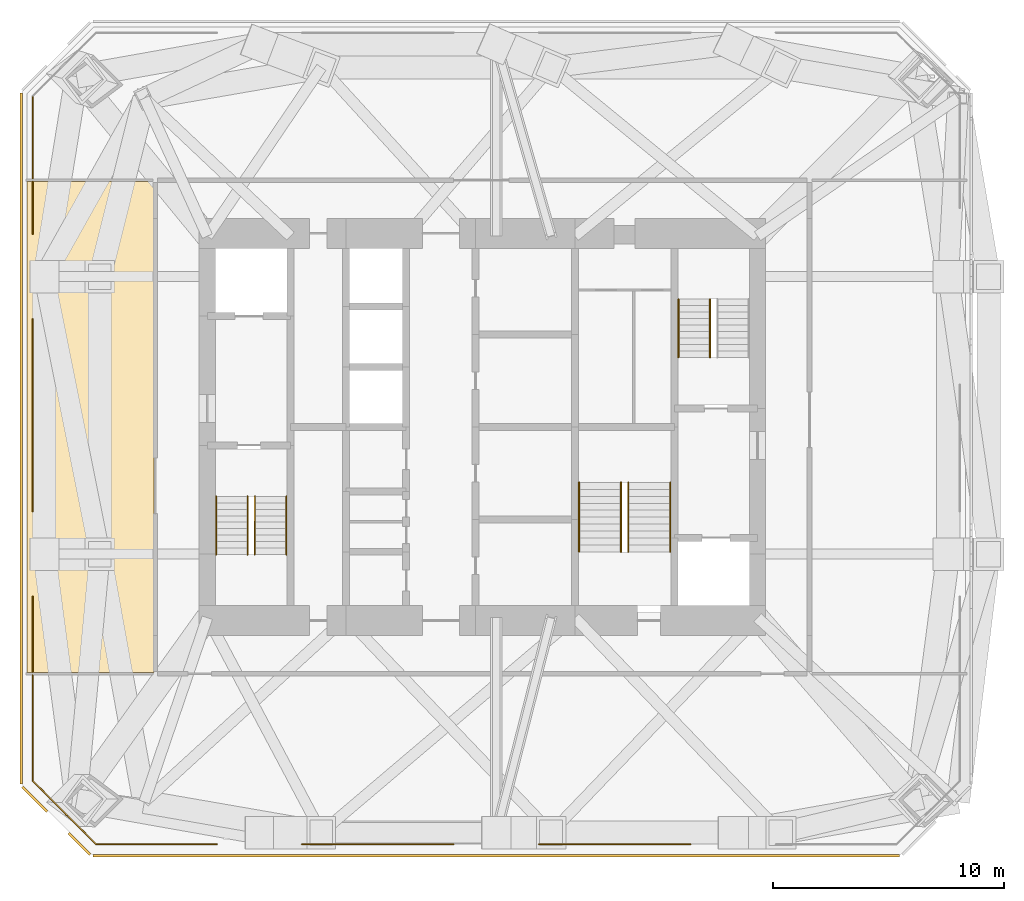
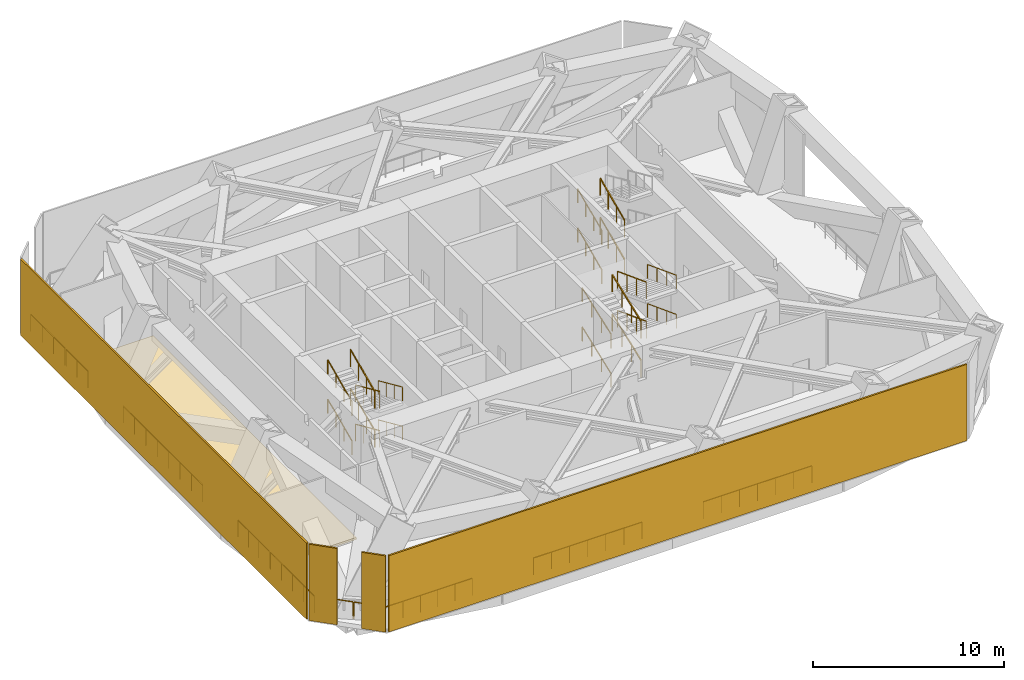
# One storey, part 7 of 8: 30 railings, 4 shading devices, 1 covering.
"""IFC4 building model written with IfcOpenShell, lengths in metres."""

from ifc_helpers import new_model, si_unit, direction, frame, origin, origin_2d, place, context, subcontext, project, spatial, polyline, rectangle, circle, outline, extrude, material, layer, layer_set, constituent, constituent_set, type_object, element, save


model = new_model("IFC4")

# Units and contexts
model_context = context("Model", 3, precision=1e-05, world=origin(), true_north=direction((0.0, 1.0)))
body_context = subcontext(model_context, "Body", "Model", "MODEL_VIEW")
ifc_project = project(units=[si_unit("LENGTHUNIT", "METRE"), si_unit("AREAUNIT", "SQUARE_METRE"), si_unit("VOLUMEUNIT", "CUBIC_METRE"), si_unit("PLANEANGLEUNIT", "RADIAN"), si_unit("MASSUNIT", "GRAM", prefix="KILO")], contexts=[model_context])

# Site, building, storey
site_placement = place(None, origin())
site = spatial("IfcSite", under=ifc_project, at=site_placement, CompositionType="ELEMENT")
building_placement = place(site_placement, origin())
building = spatial("IfcBuilding", under=site, at=building_placement, Name="Jalousie Tower", CompositionType="ELEMENT")
storey_placement = place(building_placement, frame((0.0, 0.0, 207.949951171875)))
storey = spatial("IfcBuildingStorey", under=building, at=storey_placement, Name="L57", CompositionType="ELEMENT", Elevation=207.949951171875)

# Covering
ifc_material_1 = material(Name="Sand-cement screed on resilient layer", Category="concrete")
ifc_layer_1 = layer(ifc_material_1, 0.1201171875)
ifc_layer_set_1 = layer_set([ifc_layer_1], Name="Sand-cement screed on resilient layer")
covering_type = type_object("IfcCoveringType", Name="FLOATING PLANT SCREED 120", PredefinedType="FLOORING", material=ifc_layer_set_1)
covering_placement = place(storey_placement, origin())
element("IfcCovering", 1, at=covering_placement, inside=storey, type_object=covering_type, Name="Floating screed Electrical plant room", PredefinedType="FLOORING", context=body_context, shape_type="SweptSolid", body=[
    extrude(outline(polyline([(17.699951171875, 7.875), (12.199951171875, 7.875), (12.199951171875, 29.125), (17.699951171875, 29.125), (17.699951171875, 7.875)])), origin(), (0.0, 0.0, 1.0), 0.1201171875),
])

# Railings
ifc_material_2 = material(Name="Stainless steel AISI 316", Category="steel")
railing_type_1 = type_object("IfcRailingType", Name="PLANT GUARDRAIL 1100", PredefinedType="GUARDRAIL", material=ifc_material_2)
railing_1_placement = place(storey_placement, frame((13.927734375, 1.70849609375, 0.0)))
element("IfcRailing", 2, at=railing_1_placement, inside=storey, type_object=railing_type_1, Name="Plant floor guard L57 1", PredefinedType="GUARDRAIL", context=body_context, shape_type="SweptSolid", body=[
    extrude(rectangle(XDim=0.048095703125, YDim=0.048095703125, at=origin_2d()), frame((0.0, 0.0, 1.076171875), z_axis=(-0.707106781187, 0.707106781187, 0.0), x_axis=(-0.707106781187, -0.707106781187, 0.0)), (0.0, 0.0, 1.0), 2.08984375),
    extrude(circle(Radius=0.02099609375, at=origin_2d()), origin(), (0.0, 0.0, 1.0), 1.052001953125),
    extrude(circle(Radius=0.02099609375, at=origin_2d()), frame((-0.73876953125, 0.73876953125, 0.0)), (0.0, 0.0, 1.0), 1.052001953125),
    extrude(circle(Radius=0.02099609375, at=origin_2d()), frame((-1.477783203125, 1.477783203125, 0.0)), (0.0, 0.0, 1.0), 1.052001953125),
])
railing_2_placement = place(storey_placement, frame((15.186279296875, 0.449951171875, 0.0)))
element("IfcRailing", 3, at=railing_2_placement, inside=storey, type_object=railing_type_1, Name="Plant floor guard L57 2", PredefinedType="GUARDRAIL", context=body_context, shape_type="SweptSolid", body=[
    extrude(rectangle(XDim=0.048095703125, YDim=0.048095703125, at=origin_2d()), frame((0.0, 0.0, 1.076171875), z_axis=(-0.707035932354, 0.707177622921, 0.0), x_axis=(-0.707177622921, -0.707035932354, 0.0)), (0.0, 0.0, 1.0), 1.72314453125),
    extrude(circle(Radius=0.02099609375, at=origin_2d()), origin(), (0.0, 0.0, 1.0), 1.052001953125),
    extrude(circle(Radius=0.02099609375, at=origin_2d()), frame((-0.609130859375, 0.609375, 0.0)), (0.0, 0.0, 1.0), 1.052001953125),
    extrude(circle(Radius=0.02099609375, at=origin_2d()), frame((-1.21826171875, 1.218505859375, 0.0)), (0.0, 0.0, 1.0), 1.052001953125),
])
railing_3_placement = place(storey_placement, frame((12.449951171875, 3.186279296875, 0.0)))
element("IfcRailing", 4, at=railing_3_placement, inside=storey, type_object=railing_type_1, Name="Plant floor guard L57 3", PredefinedType="GUARDRAIL", context=body_context, shape_type="SweptSolid", body=[
    extrude(rectangle(XDim=0.048095703125, YDim=0.048095703125, at=origin_2d()), frame((0.0, 0.0, 1.076171875), z_axis=(0.0, 1.0, 0.0), x_axis=(-1.0, 0.0, 0.0)), (0.0, 0.0, 1.0), 4.568603515625),
    extrude(circle(Radius=0.02099609375, at=origin_2d()), origin(), (0.0, 0.0, 1.0), 1.052001953125),
    extrude(circle(Radius=0.02099609375, at=origin_2d()), frame((0.0, 1.14208984375, 0.0)), (0.0, 0.0, 1.0), 1.052001953125),
    extrude(circle(Radius=0.02099609375, at=origin_2d()), frame((0.0, 2.2841796875, 0.0)), (0.0, 0.0, 1.0), 1.052001953125),
    extrude(circle(Radius=0.02099609375, at=origin_2d()), frame((0.0, 3.426513671875, 0.0)), (0.0, 0.0, 1.0), 1.052001953125),
    extrude(circle(Radius=0.02099609375, at=origin_2d()), frame((0.0, 4.568603515625, 0.0)), (0.0, 0.0, 1.0), 1.052001953125),
])
railing_4_placement = place(storey_placement, frame((12.449951171875, 7.89501953125, 0.0)))
element("IfcRailing", 5, at=railing_4_placement, inside=storey, type_object=railing_type_1, Name="Plant floor guard L57 4", PredefinedType="GUARDRAIL", context=body_context, shape_type="SweptSolid", body=[
    extrude(rectangle(XDim=0.048095703125, YDim=0.048095703125, at=origin_2d()), frame((0.0, 0.0, 1.076171875), z_axis=(0.0, 1.0, 0.0), x_axis=(-1.0, 0.0, 0.0)), (0.0, 0.0, 1.0), 3.260009765625),
    extrude(circle(Radius=0.02099609375, at=origin_2d()), origin(), (0.0, 0.0, 1.0), 1.052001953125),
    extrude(circle(Radius=0.02099609375, at=origin_2d()), frame((0.0, 1.086669921875, 0.0)), (0.0, 0.0, 1.0), 1.052001953125),
    extrude(circle(Radius=0.02099609375, at=origin_2d()), frame((0.0, 2.17333984375, 0.0)), (0.0, 0.0, 1.0), 1.052001953125),
    extrude(circle(Radius=0.02099609375, at=origin_2d()), frame((0.0, 3.260009765625, 0.0)), (0.0, 0.0, 1.0), 1.052001953125),
])
railing_5_placement = place(storey_placement, frame((12.449951171875, 14.844970703125, 0.0)))
element("IfcRailing", 6, at=railing_5_placement, inside=storey, type_object=railing_type_1, Name="Plant floor guard L57 5", PredefinedType="GUARDRAIL", context=body_context, shape_type="SweptSolid", body=[
    extrude(rectangle(XDim=0.048095703125, YDim=0.048095703125, at=origin_2d()), frame((0.0, 0.0, 1.076171875), z_axis=(0.0, 1.0, 0.0), x_axis=(-1.0, 0.0, 0.0)), (0.0, 0.0, 1.0), 8.31005859375),
    extrude(circle(Radius=0.02099609375, at=origin_2d()), origin(), (0.0, 0.0, 1.0), 1.052001953125),
    extrude(circle(Radius=0.02099609375, at=origin_2d()), frame((0.0, 1.187255859375, 0.0)), (0.0, 0.0, 1.0), 1.052001953125),
    extrude(circle(Radius=0.02099609375, at=origin_2d()), frame((0.0, 2.374267578125, 0.0)), (0.0, 0.0, 1.0), 1.052001953125),
    extrude(circle(Radius=0.02099609375, at=origin_2d()), frame((0.0, 3.5615234375, 0.0)), (0.0, 0.0, 1.0), 1.052001953125),
    extrude(circle(Radius=0.02099609375, at=origin_2d()), frame((0.0, 4.74853515625, 0.0)), (0.0, 0.0, 1.0), 1.052001953125),
    extrude(circle(Radius=0.02099609375, at=origin_2d()), frame((0.0, 5.935791015625, 0.0)), (0.0, 0.0, 1.0), 1.052001953125),
    extrude(circle(Radius=0.02099609375, at=origin_2d()), frame((0.0, 7.122802734375, 0.0)), (0.0, 0.0, 1.0), 1.052001953125),
    extrude(circle(Radius=0.02099609375, at=origin_2d()), frame((0.0, 8.31005859375, 0.0)), (0.0, 0.0, 1.0), 1.052001953125),
])
railing_6_placement = place(storey_placement, frame((12.449951171875, 26.844970703125, 0.0)))
element("IfcRailing", 7, at=railing_6_placement, inside=storey, type_object=railing_type_1, Name="Plant floor guard L57 6", PredefinedType="GUARDRAIL", context=body_context, shape_type="SweptSolid", body=[
    extrude(rectangle(XDim=0.048095703125, YDim=0.048095703125, at=origin_2d()), frame((0.0, 0.0, 1.076171875), z_axis=(0.0, 1.0, 0.0), x_axis=(-1.0, 0.0, 0.0)), (0.0, 0.0, 1.0), 2.260009765625),
    extrude(circle(Radius=0.02099609375, at=origin_2d()), origin(), (0.0, 0.0, 1.0), 1.052001953125),
    extrude(circle(Radius=0.02099609375, at=origin_2d()), frame((0.0, 1.1298828125, 0.0)), (0.0, 0.0, 1.0), 1.052001953125),
    extrude(circle(Radius=0.02099609375, at=origin_2d()), frame((0.0, 2.260009765625, 0.0)), (0.0, 0.0, 1.0), 1.052001953125),
])
railing_7_placement = place(storey_placement, frame((12.449951171875, 29.2451171875, 0.0)))
element("IfcRailing", 8, at=railing_7_placement, inside=storey, type_object=railing_type_1, Name="Plant floor guard L57 7", PredefinedType="GUARDRAIL", context=body_context, shape_type="SweptSolid", body=[
    extrude(rectangle(XDim=0.048095703125, YDim=0.048095703125, at=origin_2d()), frame((0.0, 0.0, 1.076171875), z_axis=(0.0, 1.0, 0.0), x_axis=(-1.0, 0.0, 0.0)), (0.0, 0.0, 1.0), 3.568603515625),
    extrude(circle(Radius=0.02099609375, at=origin_2d()), origin(), (0.0, 0.0, 1.0), 1.052001953125),
    extrude(circle(Radius=0.02099609375, at=origin_2d()), frame((0.0, 1.189453125, 0.0)), (0.0, 0.0, 1.0), 1.052001953125),
    extrude(circle(Radius=0.02099609375, at=origin_2d()), frame((0.0, 2.379150390625, 0.0)), (0.0, 0.0, 1.0), 1.052001953125),
    extrude(circle(Radius=0.02099609375, at=origin_2d()), frame((0.0, 3.568603515625, 0.0)), (0.0, 0.0, 1.0), 1.052001953125),
])
railing_8_placement = place(storey_placement, frame((20.405029296875, 0.449951171875, 0.0)))
element("IfcRailing", 9, at=railing_8_placement, inside=storey, type_object=railing_type_1, Name="Plant floor guard L57 23", PredefinedType="GUARDRAIL", context=body_context, shape_type="SweptSolid", body=[
    extrude(rectangle(XDim=0.048095703125, YDim=0.048095703125, at=origin_2d()), frame((0.0, 0.0, 1.076171875), z_axis=(-1.0, 0.0, 0.0), x_axis=(0.0, -1.0, 0.0)), (0.0, 0.0, 1.0), 5.21875),
    extrude(circle(Radius=0.02099609375, at=origin_2d()), origin(), (0.0, 0.0, 1.0), 1.052001953125),
    extrude(circle(Radius=0.02099609375, at=origin_2d()), frame((-1.043701171875, 0.0, 0.0)), (0.0, 0.0, 1.0), 1.052001953125),
    extrude(circle(Radius=0.02099609375, at=origin_2d()), frame((-2.08740234375, 0.0, 0.0)), (0.0, 0.0, 1.0), 1.052001953125),
    extrude(circle(Radius=0.02099609375, at=origin_2d()), frame((-3.13134765625, 0.0, 0.0)), (0.0, 0.0, 1.0), 1.052001953125),
    extrude(circle(Radius=0.02099609375, at=origin_2d()), frame((-4.175048828125, 0.0, 0.0)), (0.0, 0.0, 1.0), 1.052001953125),
    extrude(circle(Radius=0.02099609375, at=origin_2d()), frame((-5.21875, 0.0, 0.0)), (0.0, 0.0, 1.0), 1.052001953125),
])
for number, where, name in (
    (10, (30.655029296875, 0.449951171875, 0.0), "Plant floor guard L57 24"),
    (11, (40.905029296875, 0.449951171875, 0.0), "Plant floor guard L57 25"),
):
    element("IfcRailing", number, at=place(storey_placement, frame(where)), inside=storey, type_object=railing_type_1, Name=name, PredefinedType="GUARDRAIL", context=body_context, shape_type="SweptSolid", body=[
        extrude(rectangle(XDim=0.048095703125, YDim=0.048095703125, at=origin_2d()), frame((0.0, 0.0, 1.076171875), z_axis=(-1.0, 0.0, 0.0), x_axis=(0.0, -1.0, 0.0)), (0.0, 0.0, 1.0), 6.56005859375),
        extrude(circle(Radius=0.02099609375, at=origin_2d()), origin(), (0.0, 0.0, 1.0), 1.052001953125),
        extrude(circle(Radius=0.02099609375, at=origin_2d()), frame((-1.09326171875, 0.0, 0.0)), (0.0, 0.0, 1.0), 1.052001953125),
        extrude(circle(Radius=0.02099609375, at=origin_2d()), frame((-2.186767578125, 0.0, 0.0)), (0.0, 0.0, 1.0), 1.052001953125),
        extrude(circle(Radius=0.02099609375, at=origin_2d()), frame((-3.280029296875, 0.0, 0.0)), (0.0, 0.0, 1.0), 1.052001953125),
        extrude(circle(Radius=0.02099609375, at=origin_2d()), frame((-4.373291015625, 0.0, 0.0)), (0.0, 0.0, 1.0), 1.052001953125),
        extrude(circle(Radius=0.02099609375, at=origin_2d()), frame((-5.466796875, 0.0, 0.0)), (0.0, 0.0, 1.0), 1.052001953125),
        extrude(circle(Radius=0.02099609375, at=origin_2d()), frame((-6.56005859375, 0.0, 0.0)), (0.0, 0.0, 1.0), 1.052001953125),
    ])

# Shading devices
ifc_material_3 = material(Name="Aluminium storm louvres", Category="aluminium")
ifc_layer_2 = layer(ifc_material_3, 0.10009765625)
ifc_layer_set_2 = layer_set([ifc_layer_2], Name="Aluminium storm louvres")
shading_device_type = type_object("IfcShadingDeviceType", Name="PLANT LOUVRE SCREEN", PredefinedType="JALOUSIE", material=ifc_layer_set_2)
shading_device_1_placement = place(storey_placement, frame((49.949951171875, -0.10009765625, -0.14990234375), z_axis=(0.0, -1.0, 0.0), x_axis=(0.0, 0.0, 1.0)))
element("IfcShadingDevice", 12, at=shading_device_1_placement, inside=storey, type_object=shading_device_type, Name="Plant louvre screen L57 1", PredefinedType="JALOUSIE", context=body_context, shape_type="SweptSolid", body=[
    extrude(outline(polyline([(0.0, 0.0), (4.869873046875, 0.0), (4.869873046875, 34.89990234375), (0.0, 34.89990234375), (0.0, 0.0)])), origin(), (0.0, 0.0, -1.0), 0.10009765625),
])
shading_device_2_placement = place(storey_placement, frame((11.89990234375, 3.050048828125, -0.14990234375), z_axis=(-1.0, 0.0, 0.0), x_axis=(0.0, 0.0, 1.0)))
element("IfcShadingDevice", 13, at=shading_device_2_placement, inside=storey, type_object=shading_device_type, Name="Plant louvre screen L57 12", PredefinedType="JALOUSIE", context=body_context, shape_type="SweptSolid", body=[
    extrude(outline(polyline([(0.0, 0.0), (4.869873046875, 0.0), (4.869873046875, 29.89990234375), (0.0, 29.89990234375), (0.0, 0.0)])), origin(), (0.0, 0.0, -1.0), 0.10009765625),
])
shading_device_3_placement = place(storey_placement, frame((11.964599609375, 2.893798828125, 4.719970703125), z_axis=(-0.707026084265, -0.7071874689, 0.0), x_axis=(0.0, 0.0, -1.0)))
element("IfcShadingDevice", 14, at=shading_device_3_placement, inside=storey, type_object=shading_device_type, Name="Plant louvre screen L57 13", PredefinedType="JALOUSIE", context=body_context, shape_type="SweptSolid", body=[
    extrude(outline(polyline([(0.0, 0.0), (4.869873046875, 0.0), (4.869873046875, 1.5127872958700865), (0.0, 1.5127872958700865), (0.0, 0.0)])), origin(), (0.0, 0.0, -1.0), 0.10009765625),
])
shading_device_4_placement = place(storey_placement, frame((14.893798828125, -0.035400390625, 4.719970703125), z_axis=(-0.707200073194, -0.707013476869, 0.0), x_axis=(-0.707013476869, 0.707200073194, 0.0)))
element("IfcShadingDevice", 15, at=shading_device_4_placement, inside=storey, type_object=shading_device_type, Name="Plant louvre screen L57 14", PredefinedType="JALOUSIE", context=body_context, shape_type="SweptSolid", body=[
    extrude(outline(polyline([(0.0, 0.0), (1.3083892434721498, 0.0), (1.3083892434721498, 4.869873046875), (0.0, 4.869873046875), (0.0, 0.0)])), origin(), (0.0, 0.0, -1.0), 0.10009765625),
])

# Railings
ifc_material_4 = material(Name="Steel ASTM A500 Grade C", Category="steel")
ifc_constituent_1 = constituent(ifc_material_4, Name="Body")
ifc_material_5 = material(Name="Hot-dip galvanised zinc coating")
ifc_constituent_2 = constituent(ifc_material_5, Name="Finish")
ifc_constituent_set_1 = constituent_set(constituents=[ifc_constituent_1, ifc_constituent_2])
railing_type_2 = type_object("IfcRailingType", Name="STAIR GUARD 1100", PredefinedType="GUARDRAIL", material=ifc_constituent_set_1)
railing_9_placement = place(storey_placement, frame((22.054931640625, 15.49755859375, 0.125)))
element("IfcRailing", 16, at=railing_9_placement, inside=storey, type_object=railing_type_2, Name="Exit stair A guard L57 flight 1", PredefinedType="GUARDRAIL", context=body_context, shape_type="SweptSolid", body=[
    extrude(rectangle(XDim=0.048095703125, YDim=0.048095703125, at=origin_2d()), frame((0.0, 0.0, 1.076171875), z_axis=(0.0, -0.913139058521, 0.407648205936), x_axis=(1.0, 0.0, 0.0)), (0.0, 0.0, 1.0), 2.759765625),
    extrude(circle(Radius=0.02099609375, at=origin_2d()), origin(), (0.0, 0.0, 1.0), 1.052001953125),
    extrude(circle(Radius=0.02099609375, at=origin_2d()), frame((0.0, -0.840087890625, 0.375)), (0.0, 0.0, 1.0), 1.052001953125),
    extrude(circle(Radius=0.02099609375, at=origin_2d()), frame((0.0, -1.679931640625, 0.75)), (0.0, 0.0, 1.0), 1.052001953125),
    extrude(circle(Radius=0.02099609375, at=origin_2d()), frame((0.0, -2.52001953125, 1.125)), (0.0, 0.0, 1.0), 1.052001953125),
])
railing_10_placement = place(storey_placement, frame((21.7451171875, 12.9775390625, 1.375)))
element("IfcRailing", 17, at=railing_10_placement, inside=storey, type_object=railing_type_2, Name="Exit stair A guard L57 flight 2", PredefinedType="GUARDRAIL", context=body_context, shape_type="SweptSolid", body=[
    extrude(rectangle(XDim=0.048095703125, YDim=0.048095703125, at=origin_2d()), frame((0.0, 0.0, 1.076171875), z_axis=(0.0, 0.913139058521, 0.407648205936), x_axis=(-1.0, 0.0, 0.0)), (0.0, 0.0, 1.0), 2.759765625),
    extrude(circle(Radius=0.02099609375, at=origin_2d()), origin(), (0.0, 0.0, 1.0), 1.052001953125),
    extrude(circle(Radius=0.02099609375, at=origin_2d()), frame((0.0, 0.840087890625, 0.375)), (0.0, 0.0, 1.0), 1.052001953125),
    extrude(circle(Radius=0.02099609375, at=origin_2d()), frame((0.0, 1.679931640625, 0.75)), (0.0, 0.0, 1.0), 1.052001953125),
    extrude(circle(Radius=0.02099609375, at=origin_2d()), frame((0.0, 2.52001953125, 1.125)), (0.0, 0.0, 1.0), 1.052001953125),
])
railing_11_placement = place(storey_placement, frame((22.054931640625, 15.49755859375, 2.625)))
element("IfcRailing", 18, at=railing_11_placement, inside=storey, type_object=railing_type_2, Name="Exit stair A guard L57 flight 3", PredefinedType="GUARDRAIL", context=body_context, shape_type="SweptSolid", body=[
    extrude(rectangle(XDim=0.048095703125, YDim=0.048095703125, at=origin_2d()), frame((0.0, 0.0, 1.076171875), z_axis=(0.0, -0.913139058521, 0.407648205936), x_axis=(1.0, 0.0, 0.0)), (0.0, 0.0, 1.0), 2.759765625),
    extrude(circle(Radius=0.02099609375, at=origin_2d()), origin(), (0.0, 0.0, 1.0), 1.052001953125),
    extrude(circle(Radius=0.02099609375, at=origin_2d()), frame((0.0, -0.840087890625, 0.375)), (0.0, 0.0, 1.0), 1.052001953125),
    extrude(circle(Radius=0.02099609375, at=origin_2d()), frame((0.0, -1.679931640625, 0.75)), (0.0, 0.0, 1.0), 1.052001953125),
    extrude(circle(Radius=0.02099609375, at=origin_2d()), frame((0.0, -2.52001953125, 1.125)), (0.0, 0.0, 1.0), 1.052001953125),
])
for number, where, name in (
    (19, (21.7451171875, 12.9775390625, 3.875), "Exit stair A guard L57 flight 4"),
    (20, (41.7451171875, 21.50244140625, 0.125), "Exit stair B guard L57 flight 1"),
    (21, (41.7451171875, 21.50244140625, 2.625), "Exit stair B guard L57 flight 3"),
):
    element("IfcRailing", number, at=place(storey_placement, frame(where)), inside=storey, type_object=railing_type_2, Name=name, PredefinedType="GUARDRAIL", context=body_context, shape_type="SweptSolid", body=[
        extrude(rectangle(XDim=0.048095703125, YDim=0.048095703125, at=origin_2d()), frame((0.0, 0.0, 1.076171875), z_axis=(0.0, 0.913139058521, 0.407648205936), x_axis=(-1.0, 0.0, 0.0)), (0.0, 0.0, 1.0), 2.759765625),
        extrude(circle(Radius=0.02099609375, at=origin_2d()), origin(), (0.0, 0.0, 1.0), 1.052001953125),
        extrude(circle(Radius=0.02099609375, at=origin_2d()), frame((0.0, 0.840087890625, 0.375)), (0.0, 0.0, 1.0), 1.052001953125),
        extrude(circle(Radius=0.02099609375, at=origin_2d()), frame((0.0, 1.679931640625, 0.75)), (0.0, 0.0, 1.0), 1.052001953125),
        extrude(circle(Radius=0.02099609375, at=origin_2d()), frame((0.0, 2.52001953125, 1.125)), (0.0, 0.0, 1.0), 1.052001953125),
    ])
railing_12_placement = place(storey_placement, frame((37.89501953125, 13.097412109375, 0.11376953125)))
element("IfcRailing", 22, at=railing_12_placement, inside=storey, type_object=railing_type_2, Name="Exit stair C guard L57 flight 1", PredefinedType="GUARDRAIL", context=body_context, shape_type="SweptSolid", body=[
    extrude(rectangle(XDim=0.048095703125, YDim=0.048095703125, at=origin_2d()), frame((0.0, 0.0, 1.076171875), z_axis=(0.0, 0.935173195665, 0.354190759491), x_axis=(-1.0, 0.0, 0.0)), (0.0, 0.0, 1.0), 3.2080078125),
    extrude(circle(Radius=0.02099609375, at=origin_2d()), origin(), (0.0, 0.0, 1.0), 1.052001953125),
    extrude(circle(Radius=0.02099609375, at=origin_2d()), frame((0.0, 1.0, 0.378662109375)), (0.0, 0.0, 1.0), 1.052001953125),
    extrude(circle(Radius=0.02099609375, at=origin_2d()), frame((0.0, 2.0, 0.757568359375)), (0.0, 0.0, 1.0), 1.052001953125),
    extrude(circle(Radius=0.02099609375, at=origin_2d()), frame((0.0, 3.0, 1.13623046875)), (0.0, 0.0, 1.0), 1.052001953125),
])
railing_13_placement = place(storey_placement, frame((38.205078125, 16.097412109375, 1.36376953125)))
element("IfcRailing", 23, at=railing_13_placement, inside=storey, type_object=railing_type_2, Name="Exit stair C guard L57 flight 2", PredefinedType="GUARDRAIL", context=body_context, shape_type="SweptSolid", body=[
    extrude(rectangle(XDim=0.048095703125, YDim=0.048095703125, at=origin_2d()), frame((0.0, 0.0, 1.076171875), z_axis=(0.0, -0.935173195665, 0.354190759491), x_axis=(1.0, 0.0, 0.0)), (0.0, 0.0, 1.0), 3.2080078125),
    extrude(circle(Radius=0.02099609375, at=origin_2d()), origin(), (0.0, 0.0, 1.0), 1.052001953125),
    extrude(circle(Radius=0.02099609375, at=origin_2d()), frame((0.0, -1.0, 0.378662109375)), (0.0, 0.0, 1.0), 1.052001953125),
    extrude(circle(Radius=0.02099609375, at=origin_2d()), frame((0.0, -2.0, 0.757568359375)), (0.0, 0.0, 1.0), 1.052001953125),
    extrude(circle(Radius=0.02099609375, at=origin_2d()), frame((0.0, -3.0, 1.13623046875)), (0.0, 0.0, 1.0), 1.052001953125),
])
railing_14_placement = place(storey_placement, frame((37.89501953125, 13.097412109375, 2.61376953125)))
element("IfcRailing", 24, at=railing_14_placement, inside=storey, type_object=railing_type_2, Name="Exit stair C guard L57 flight 3", PredefinedType="GUARDRAIL", context=body_context, shape_type="SweptSolid", body=[
    extrude(rectangle(XDim=0.048095703125, YDim=0.048095703125, at=origin_2d()), frame((0.0, 0.0, 1.076171875), z_axis=(0.0, 0.935173195665, 0.354190759491), x_axis=(-1.0, 0.0, 0.0)), (0.0, 0.0, 1.0), 3.2080078125),
    extrude(circle(Radius=0.02099609375, at=origin_2d()), origin(), (0.0, 0.0, 1.0), 1.052001953125),
    extrude(circle(Radius=0.02099609375, at=origin_2d()), frame((0.0, 1.0, 0.378662109375)), (0.0, 0.0, 1.0), 1.052001953125),
    extrude(circle(Radius=0.02099609375, at=origin_2d()), frame((0.0, 2.0, 0.757568359375)), (0.0, 0.0, 1.0), 1.052001953125),
    extrude(circle(Radius=0.02099609375, at=origin_2d()), frame((0.0, 3.0, 1.13623046875)), (0.0, 0.0, 1.0), 1.052001953125),
])
railing_15_placement = place(storey_placement, frame((38.205078125, 16.097412109375, 3.86376953125)))
element("IfcRailing", 25, at=railing_15_placement, inside=storey, type_object=railing_type_2, Name="Exit stair C guard L57 flight 4", PredefinedType="GUARDRAIL", context=body_context, shape_type="SweptSolid", body=[
    extrude(rectangle(XDim=0.048095703125, YDim=0.048095703125, at=origin_2d()), frame((0.0, 0.0, 1.076171875), z_axis=(0.0, -0.935173195665, 0.354190759491), x_axis=(1.0, 0.0, 0.0)), (0.0, 0.0, 1.0), 3.2080078125),
    extrude(circle(Radius=0.02099609375, at=origin_2d()), origin(), (0.0, 0.0, 1.0), 1.052001953125),
    extrude(circle(Radius=0.02099609375, at=origin_2d()), frame((0.0, -1.0, 0.378662109375)), (0.0, 0.0, 1.0), 1.052001953125),
    extrude(circle(Radius=0.02099609375, at=origin_2d()), frame((0.0, -2.0, 0.757568359375)), (0.0, 0.0, 1.0), 1.052001953125),
    extrude(circle(Radius=0.02099609375, at=origin_2d()), frame((0.0, -3.0, 1.13623046875)), (0.0, 0.0, 1.0), 1.052001953125),
])
ifc_material_6 = material(Name="Steel ASTM A500 Grade C", Category="steel")
ifc_constituent_3 = constituent(ifc_material_6, Name="Body")
ifc_material_7 = material(Name="Hot-dip galvanised zinc coating")
ifc_constituent_4 = constituent(ifc_material_7, Name="Finish")
ifc_constituent_set_2 = constituent_set(constituents=[ifc_constituent_3, ifc_constituent_4])
railing_type_3 = type_object("IfcRailingType", Name="STAIR HANDRAIL 900", PredefinedType="HANDRAIL", material=ifc_constituent_set_2)
railing_16_placement = place(storey_placement, frame((23.419921875, 15.49755859375, 0.125)))
element("IfcRailing", 26, at=railing_16_placement, inside=storey, type_object=railing_type_3, Name="Exit stair A handrail L57 flight 1", PredefinedType="HANDRAIL", context=body_context, shape_type="SweptSolid", body=[
    extrude(circle(Radius=0.02392578125, at=origin_2d()), frame((0.0, 0.0, 0.8759765625), z_axis=(0.0, -0.913139058521, 0.407648205936), x_axis=(1.0, 0.0, 0.0)), (0.0, 0.0, 1.0), 2.759765625),
    extrude(circle(Radius=0.02099609375, at=origin_2d()), origin(), (0.0, 0.0, 1.0), 0.851806640625),
    extrude(circle(Radius=0.02099609375, at=origin_2d()), frame((0.0, -0.840087890625, 0.375)), (0.0, 0.0, 1.0), 0.851806640625),
    extrude(circle(Radius=0.02099609375, at=origin_2d()), frame((0.0, -1.679931640625, 0.75)), (0.0, 0.0, 1.0), 0.851806640625),
    extrude(circle(Radius=0.02099609375, at=origin_2d()), frame((0.0, -2.52001953125, 1.125)), (0.0, 0.0, 1.0), 0.851806640625),
])
railing_17_placement = place(storey_placement, frame((20.3798828125, 12.9775390625, 1.375)))
element("IfcRailing", 27, at=railing_17_placement, inside=storey, type_object=railing_type_3, Name="Exit stair A handrail L57 flight 2", PredefinedType="HANDRAIL", context=body_context, shape_type="SweptSolid", body=[
    extrude(circle(Radius=0.02392578125, at=origin_2d()), frame((0.0, 0.0, 0.8759765625), z_axis=(0.0, 0.913139058521, 0.407648205936), x_axis=(-1.0, 0.0, 0.0)), (0.0, 0.0, 1.0), 2.759765625),
    extrude(circle(Radius=0.02099609375, at=origin_2d()), origin(), (0.0, 0.0, 1.0), 0.851806640625),
    extrude(circle(Radius=0.02099609375, at=origin_2d()), frame((0.0, 0.840087890625, 0.375)), (0.0, 0.0, 1.0), 0.851806640625),
    extrude(circle(Radius=0.02099609375, at=origin_2d()), frame((0.0, 1.679931640625, 0.75)), (0.0, 0.0, 1.0), 0.851806640625),
    extrude(circle(Radius=0.02099609375, at=origin_2d()), frame((0.0, 2.52001953125, 1.125)), (0.0, 0.0, 1.0), 0.851806640625),
])
railing_18_placement = place(storey_placement, frame((23.419921875, 15.49755859375, 2.625)))
element("IfcRailing", 28, at=railing_18_placement, inside=storey, type_object=railing_type_3, Name="Exit stair A handrail L57 flight 3", PredefinedType="HANDRAIL", context=body_context, shape_type="SweptSolid", body=[
    extrude(circle(Radius=0.02392578125, at=origin_2d()), frame((0.0, 0.0, 0.8759765625), z_axis=(0.0, -0.913139058521, 0.407648205936), x_axis=(1.0, 0.0, 0.0)), (0.0, 0.0, 1.0), 2.759765625),
    extrude(circle(Radius=0.02099609375, at=origin_2d()), origin(), (0.0, 0.0, 1.0), 0.851806640625),
    extrude(circle(Radius=0.02099609375, at=origin_2d()), frame((0.0, -0.840087890625, 0.375)), (0.0, 0.0, 1.0), 0.851806640625),
    extrude(circle(Radius=0.02099609375, at=origin_2d()), frame((0.0, -1.679931640625, 0.75)), (0.0, 0.0, 1.0), 0.851806640625),
    extrude(circle(Radius=0.02099609375, at=origin_2d()), frame((0.0, -2.52001953125, 1.125)), (0.0, 0.0, 1.0), 0.851806640625),
])
for number, where, name in (
    (29, (20.3798828125, 12.9775390625, 3.875), "Exit stair A handrail L57 flight 4"),
    (30, (40.3798828125, 21.50244140625, 0.125), "Exit stair B handrail L57 flight 1"),
    (31, (40.3798828125, 21.50244140625, 2.625), "Exit stair B handrail L57 flight 3"),
):
    element("IfcRailing", number, at=place(storey_placement, frame(where)), inside=storey, type_object=railing_type_3, Name=name, PredefinedType="HANDRAIL", context=body_context, shape_type="SweptSolid", body=[
        extrude(circle(Radius=0.02392578125, at=origin_2d()), frame((0.0, 0.0, 0.8759765625), z_axis=(0.0, 0.913139058521, 0.407648205936), x_axis=(-1.0, 0.0, 0.0)), (0.0, 0.0, 1.0), 2.759765625),
        extrude(circle(Radius=0.02099609375, at=origin_2d()), origin(), (0.0, 0.0, 1.0), 0.851806640625),
        extrude(circle(Radius=0.02099609375, at=origin_2d()), frame((0.0, 0.840087890625, 0.375)), (0.0, 0.0, 1.0), 0.851806640625),
        extrude(circle(Radius=0.02099609375, at=origin_2d()), frame((0.0, 1.679931640625, 0.75)), (0.0, 0.0, 1.0), 0.851806640625),
        extrude(circle(Radius=0.02099609375, at=origin_2d()), frame((0.0, 2.52001953125, 1.125)), (0.0, 0.0, 1.0), 0.851806640625),
    ])
railing_19_placement = place(storey_placement, frame((36.080078125, 13.097412109375, 0.11376953125)))
element("IfcRailing", 32, at=railing_19_placement, inside=storey, type_object=railing_type_3, Name="Exit stair C handrail L57 flight 1", PredefinedType="HANDRAIL", context=body_context, shape_type="SweptSolid", body=[
    extrude(circle(Radius=0.02392578125, at=origin_2d()), frame((0.0, 0.0, 0.8759765625), z_axis=(0.0, 0.935173195665, 0.354190759491), x_axis=(-1.0, 0.0, 0.0)), (0.0, 0.0, 1.0), 3.2080078125),
    extrude(circle(Radius=0.02099609375, at=origin_2d()), origin(), (0.0, 0.0, 1.0), 0.851806640625),
    extrude(circle(Radius=0.02099609375, at=origin_2d()), frame((0.0, 1.0, 0.378662109375)), (0.0, 0.0, 1.0), 0.851806640625),
    extrude(circle(Radius=0.02099609375, at=origin_2d()), frame((0.0, 2.0, 0.757568359375)), (0.0, 0.0, 1.0), 0.851806640625),
    extrude(circle(Radius=0.02099609375, at=origin_2d()), frame((0.0, 3.0, 1.13623046875)), (0.0, 0.0, 1.0), 0.851806640625),
])
railing_20_placement = place(storey_placement, frame((40.02001953125, 16.097412109375, 1.36376953125)))
element("IfcRailing", 33, at=railing_20_placement, inside=storey, type_object=railing_type_3, Name="Exit stair C handrail L57 flight 2", PredefinedType="HANDRAIL", context=body_context, shape_type="SweptSolid", body=[
    extrude(circle(Radius=0.02392578125, at=origin_2d()), frame((0.0, 0.0, 0.8759765625), z_axis=(0.0, -0.935173195665, 0.354190759491), x_axis=(1.0, 0.0, 0.0)), (0.0, 0.0, 1.0), 3.2080078125),
    extrude(circle(Radius=0.02099609375, at=origin_2d()), origin(), (0.0, 0.0, 1.0), 0.851806640625),
    extrude(circle(Radius=0.02099609375, at=origin_2d()), frame((0.0, -1.0, 0.378662109375)), (0.0, 0.0, 1.0), 0.851806640625),
    extrude(circle(Radius=0.02099609375, at=origin_2d()), frame((0.0, -2.0, 0.757568359375)), (0.0, 0.0, 1.0), 0.851806640625),
    extrude(circle(Radius=0.02099609375, at=origin_2d()), frame((0.0, -3.0, 1.13623046875)), (0.0, 0.0, 1.0), 0.851806640625),
])
railing_21_placement = place(storey_placement, frame((36.080078125, 13.097412109375, 2.61376953125)))
element("IfcRailing", 34, at=railing_21_placement, inside=storey, type_object=railing_type_3, Name="Exit stair C handrail L57 flight 3", PredefinedType="HANDRAIL", context=body_context, shape_type="SweptSolid", body=[
    extrude(circle(Radius=0.02392578125, at=origin_2d()), frame((0.0, 0.0, 0.8759765625), z_axis=(0.0, 0.935173195665, 0.354190759491), x_axis=(-1.0, 0.0, 0.0)), (0.0, 0.0, 1.0), 3.2080078125),
    extrude(circle(Radius=0.02099609375, at=origin_2d()), origin(), (0.0, 0.0, 1.0), 0.851806640625),
    extrude(circle(Radius=0.02099609375, at=origin_2d()), frame((0.0, 1.0, 0.378662109375)), (0.0, 0.0, 1.0), 0.851806640625),
    extrude(circle(Radius=0.02099609375, at=origin_2d()), frame((0.0, 2.0, 0.757568359375)), (0.0, 0.0, 1.0), 0.851806640625),
    extrude(circle(Radius=0.02099609375, at=origin_2d()), frame((0.0, 3.0, 1.13623046875)), (0.0, 0.0, 1.0), 0.851806640625),
])
railing_22_placement = place(storey_placement, frame((40.02001953125, 16.097412109375, 3.86376953125)))
element("IfcRailing", 35, at=railing_22_placement, inside=storey, type_object=railing_type_3, Name="Exit stair C handrail L57 flight 4", PredefinedType="HANDRAIL", context=body_context, shape_type="SweptSolid", body=[
    extrude(circle(Radius=0.02392578125, at=origin_2d()), frame((0.0, 0.0, 0.8759765625), z_axis=(0.0, -0.935173195665, 0.354190759491), x_axis=(1.0, 0.0, 0.0)), (0.0, 0.0, 1.0), 3.2080078125),
    extrude(circle(Radius=0.02099609375, at=origin_2d()), origin(), (0.0, 0.0, 1.0), 0.851806640625),
    extrude(circle(Radius=0.02099609375, at=origin_2d()), frame((0.0, -1.0, 0.378662109375)), (0.0, 0.0, 1.0), 0.851806640625),
    extrude(circle(Radius=0.02099609375, at=origin_2d()), frame((0.0, -2.0, 0.757568359375)), (0.0, 0.0, 1.0), 0.851806640625),
    extrude(circle(Radius=0.02099609375, at=origin_2d()), frame((0.0, -3.0, 1.13623046875)), (0.0, 0.0, 1.0), 0.851806640625),
])

save(model, "model.ifc")
